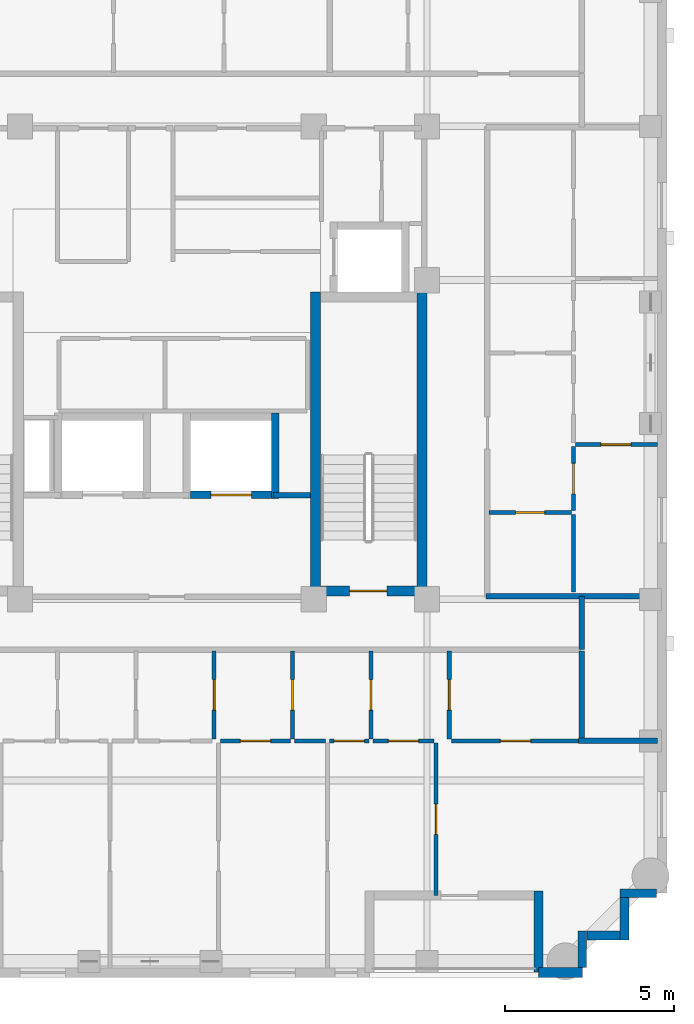
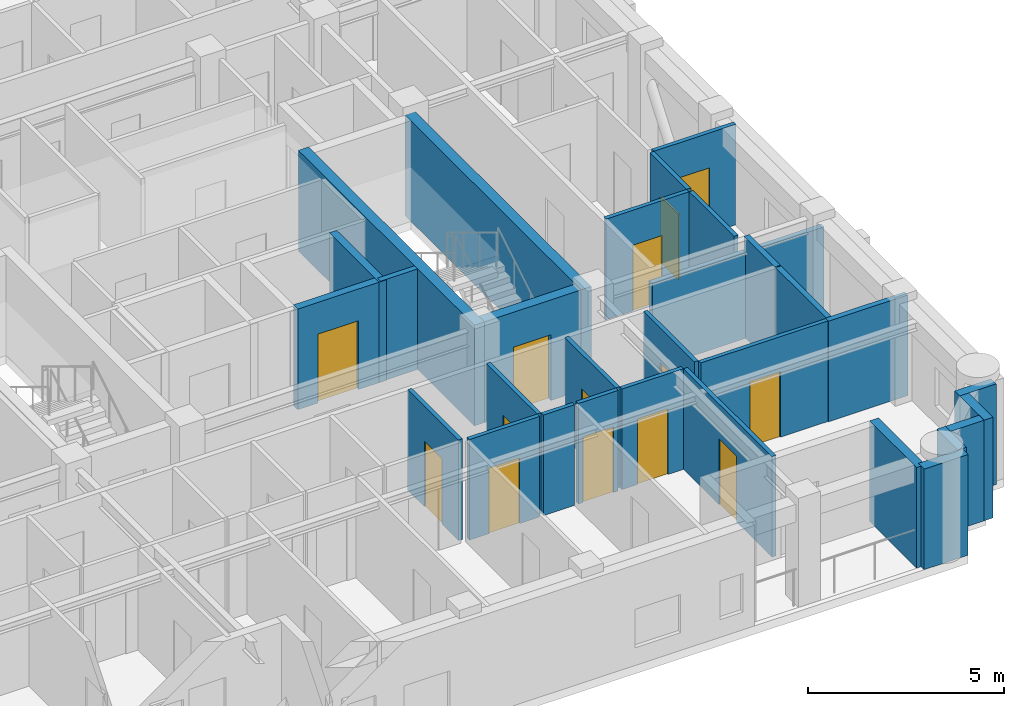
# One storey, part 4 of 11: 30 walls, 14 doors, 14 openings.
"""IFC4 building model written with IfcOpenShell, lengths in metres."""

from ifc_helpers import new_model, si_unit, derived_unit, direction, frame, frame_2d, origin, place, context, subcontext, project, spatial, rectangle, extrude, material, layer, layer_set, type_object, element, fill, save


model = new_model("IFC4")

# Units and contexts
model_context = context("Model", 3, precision=1e-05, world=origin(), true_north=direction((0.0, 1.0)))
body_context = subcontext(model_context, "Body", "Model", "MODEL_VIEW")
ifc_project = project(units=[si_unit("LENGTHUNIT", "METRE"), si_unit("AREAUNIT", "SQUARE_METRE"), si_unit("VOLUMEUNIT", "CUBIC_METRE"), si_unit("PLANEANGLEUNIT", "RADIAN"), si_unit("MASSUNIT", "GRAM", prefix="KILO"), derived_unit("THERMALTRANSMITTANCEUNIT", [(si_unit("MASSUNIT", "GRAM", prefix="KILO"), 1), (si_unit("TIMEUNIT", "SECOND"), -3), (si_unit("THERMODYNAMICTEMPERATUREUNIT", "KELVIN"), -1)])], contexts=[model_context])

# Site, building, storey
site_placement = place(None, origin())
site = spatial("IfcSite", under=ifc_project, at=site_placement, CompositionType="ELEMENT")
building_placement = place(site_placement, origin())
building = spatial("IfcBuilding", under=site, at=building_placement, Name="Korrvale Station Residences", CompositionType="ELEMENT")
storey_placement = place(building_placement, frame((0.0, 0.0, 230.89990234375)))
storey = spatial("IfcBuildingStorey", under=building, at=storey_placement, Name="L67", CompositionType="ELEMENT", Elevation=230.89990234375)

# Walls
ifc_material_1 = material(Name="Concrete C50/60", Category="concrete")
ifc_layer_1 = layer(ifc_material_1, 0.300048828125, Name="Concrete C50/60")
ifc_layer_set_1 = layer_set([ifc_layer_1], Name="Concrete C50/60")
wall_type_1 = type_object("IfcWallType", Name="WAL-CORE-300-C50", PredefinedType="SHEAR", material=ifc_layer_set_1)
for number, where, z_axis, x_axis, name in (
    (1, (29.89990234375, 15.10009765625, 0.0), (0.0, 0.0, 1.0), (0.0, 1.0, 0.0), "L67 ST-2 Core Shear Wall West"),
    (2, (33.050048828125, 15.10009765625, 0.0), (0.0, 0.0, 1.0), (0.0, 1.0, 0.0), "L67 ST-2 Core Shear Wall East"),
):
    element("IfcWall", number, at=place(storey_placement, frame(where, z_axis=z_axis, x_axis=x_axis)), inside=storey, type_object=wall_type_1, Name=name, PredefinedType="SHEAR", context=body_context, shape_type="SweptSolid", body=[
        extrude(rectangle(XDim=9.0, YDim=0.300048828125, at=frame_2d((4.5, 0.0))), origin(), (0.0, 0.0, 1.0), 3.14013671875),
    ])

# Wall, opening, door
wall_1_placement = place(storey_placement, frame((30.050048828125, 15.25, 0.0), z_axis=(0.0, 0.0, 1.0), x_axis=(1.0, 0.0, 0.0)))
wall_1 = element("IfcWall", 3, at=wall_1_placement, inside=storey, type_object=wall_type_1, Name="L67 ST-2 Core Shear Wall South", PredefinedType="SHEAR", context=body_context, shape_type="SweptSolid", body=[
    extrude(rectangle(XDim=2.849853515625, YDim=0.300048828125, at=frame_2d((1.4248046875, 0.0))), origin(), (0.0, 0.0, 1.0), 3.14013671875),
])
opening_1_placement = place(wall_1_placement, frame((0.860107421875, 0.0, 0.0)))
opening_1 = element("IfcOpeningElement", 4, at=opening_1_placement, cuts=wall_1, Name="Opening SD-1100", PredefinedType="OPENING", context=body_context, shape_type="SweptSolid", body=[
    extrude(rectangle(XDim=1.10009765625, YDim=2.050048828125, at=frame_2d((0.550048828125, 1.02490234375))), frame((0.0, 0.16015625, 0.0), z_axis=(0.0, -1.0, 0.0), x_axis=(1.0, 0.0, 0.0)), (0.0, 0.0, 1.0), 0.320068359375),
])
ifc_material_2 = material(Name="Hollow-metal fire-rated stair door with closer", Category="steel")
door_type_1 = type_object("IfcDoorType", Name="DR-STAIR-1100", OperationType="NOTDEFINED", PredefinedType="DOOR", material=ifc_material_2)
door_1_placement = place(opening_1_placement, origin())
door_1 = element("IfcDoor", 5, at=door_1_placement, inside=storey, type_object=door_type_1, Name="L67 ST-2 Exit Stair Door", OperationType="SINGLE_SWING_RIGHT", OverallHeight=2.050048828125, OverallWidth=1.10009765625, PredefinedType="DOOR", context=body_context, shape_type="SweptSolid", body=[
    extrude(rectangle(XDim=1.10009765625, YDim=2.050048828125, at=frame_2d((0.550048828125, 1.02490234375))), frame((0.0, 0.02490234375, 0.0), z_axis=(0.0, -1.0, 0.0), x_axis=(1.0, 0.0, 0.0)), (0.0, 0.0, 1.0), 0.050048828125),
])
fill(opening_1, door_1)

# Walls
ifc_material_3 = material(Name="Precast concrete C45/55", Category="concrete")
ifc_layer_2 = layer(ifc_material_3, 0.260009765625, Name="Precast concrete C45/55")
ifc_layer_set_2 = layer_set([ifc_layer_2], Name="Precast concrete C45/55")
wall_type_2 = type_object("IfcWallType", Name="WAL-EXT-LOG260", PredefinedType="SOLIDWALL", material=ifc_layer_set_2)
wall_2_placement = place(storey_placement, frame((36.5, 3.9599609375, 0.0), z_axis=(0.0, 0.0, 1.0), x_axis=(0.0, 1.0, 0.0)))
element("IfcWall", 6, at=wall_2_placement, inside=storey, type_object=wall_type_2, Name="L67 Recessed Loggia Wall BAL-L67-S2-L", PredefinedType="SOLIDWALL", context=body_context, shape_type="SweptSolid", body=[
    extrude(rectangle(XDim=2.400146484375, YDim=0.260009765625, at=frame_2d((1.2001953125, 0.0))), origin(), (0.0, 0.0, 1.0), 3.14013671875),
])
wall_3_placement = place(storey_placement, frame((39.998046875, 6.300048828125, 0.0), z_axis=(0.0, 0.0, 1.0), x_axis=(-1.0, 0.0, 0.0)))
element("IfcWall", 7, at=wall_3_placement, inside=storey, type_object=wall_type_2, Name="L67 Serrated Corner Precast Step SE-1", PredefinedType="SOLIDWALL", context=body_context, shape_type="SweptSolid", body=[
    extrude(rectangle(XDim=1.078125, YDim=0.260009765625, at=frame_2d((0.5390625, 0.0))), origin(), (0.0, 0.0, 1.0), 3.14013671875),
])
wall_4_placement = place(storey_placement, frame((39.050048828125, 6.16796875, 0.0), z_axis=(0.0, 0.0, 1.0), x_axis=(0.0, -1.0, 0.0)))
element("IfcWall", 8, at=wall_4_placement, inside=storey, type_object=wall_type_2, Name="L67 Serrated Corner Precast Step SE-2", PredefinedType="SOLIDWALL", context=body_context, shape_type="SweptSolid", body=[
    extrude(rectangle(XDim=1.248046875, YDim=0.260009765625, at=frame_2d((0.6240234375, 0.0))), origin(), (0.0, 0.0, 1.0), 3.14013671875),
])
wall_5_placement = place(storey_placement, frame((38.91796875, 5.050048828125, 0.0), z_axis=(0.0, 0.0, 1.0), x_axis=(-1.0, 0.0, 0.0)))
element("IfcWall", 9, at=wall_5_placement, inside=storey, type_object=wall_type_2, Name="L67 Serrated Corner Precast Step SE-3", PredefinedType="SOLIDWALL", context=body_context, shape_type="SweptSolid", body=[
    extrude(rectangle(XDim=0.986083984375, YDim=0.260009765625, at=frame_2d((0.4931640625, 0.0))), origin(), (0.0, 0.0, 1.0), 3.14013671875),
])
wall_6_placement = place(storey_placement, frame((37.800048828125, 5.179931640625, 0.0), z_axis=(0.0, 0.0, 1.0), x_axis=(0.0, -1.0, 0.0)))
element("IfcWall", 10, at=wall_6_placement, inside=storey, type_object=wall_type_2, Name="L67 Serrated Corner Precast Step SE-4", PredefinedType="SOLIDWALL", context=body_context, shape_type="SweptSolid", body=[
    extrude(rectangle(XDim=1.077880859375, YDim=0.260009765625, at=frame_2d((0.5390625, 0.0))), origin(), (0.0, 0.0, 1.0), 3.14013671875),
])
ifc_layer_3 = layer(ifc_material_3, 0.300048828125, Name="Precast concrete C45/55")
ifc_layer_set_3 = layer_set([ifc_layer_3], Name="Precast concrete C45/55")
wall_type_3 = type_object("IfcWallType", Name="WAL-EXT-PC300", PredefinedType="SOLIDWALL", material=ifc_layer_set_3)
wall_7_placement = place(storey_placement, frame((37.800048828125, 3.949951171875, 0.0), z_axis=(0.0, 0.0, 1.0), x_axis=(-1.0, 0.0, 0.0)))
element("IfcWall", 11, at=wall_7_placement, inside=storey, type_object=wall_type_3, Name="L67 South Exterior Precast Wall 1", PredefinedType="SOLIDWALL", context=body_context, shape_type="SweptSolid", body=[
    extrude(rectangle(XDim=1.300048828125, YDim=0.300048828125, at=frame_2d((0.64990234375, 0.0))), origin(), (0.0, 0.0, 1.0), 3.14013671875),
])

# Wall, opening, door
ifc_material_4 = material(Name="Acoustic steel-stud gypsum board partition", Category="steel")
ifc_layer_4 = layer(ifc_material_4, 0.1201171875, Name="Acoustic steel-stud gypsum board partition")
ifc_layer_set_4 = layer_set([ifc_layer_4], Name="Acoustic steel-stud gypsum board partition")
wall_type_4 = type_object("IfcWallType", Name="WAL-PART-125", PredefinedType="PARTITIONING", material=ifc_layer_set_4)
wall_8_placement = place(storey_placement, frame((26.89990234375, 10.8701171875, 0.0), z_axis=(0.0, 0.0, 1.0), x_axis=(0.0, 1.0, 0.0)))
wall_8 = element("IfcWall", 12, at=wall_8_placement, inside=storey, type_object=wall_type_4, Name="L67 Suite Partition U01-V45", PredefinedType="PARTITIONING", context=body_context, shape_type="SweptSolid", body=[
    extrude(rectangle(XDim=2.599853515625, YDim=0.1201171875, at=frame_2d((1.2998046875, 0.0))), origin(), (0.0, 0.0, 1.0), 3.14013671875),
])
opening_2_placement = place(wall_8_placement, frame((0.85009765625, 0.0, 0.0)))
opening_2 = element("IfcOpeningElement", 13, at=opening_2_placement, cuts=wall_8, Name="Opening DI-900", PredefinedType="OPENING", context=body_context, shape_type="SweptSolid", body=[
    extrude(rectangle(XDim=0.89990234375, YDim=2.050048828125, at=frame_2d((0.449951171875, 1.02490234375))), frame((0.0, 0.070068359375, 0.0), z_axis=(0.0, -1.0, 0.0), x_axis=(1.0, 0.0, 0.0)), (0.0, 0.0, 1.0), 0.14013671875),
])
ifc_material_5 = material(Name="Painted solid-core timber interior room door", Category="wood")
door_type_2 = type_object("IfcDoorType", Name="DR-INT-900", OperationType="NOTDEFINED", PredefinedType="DOOR", material=ifc_material_5)
door_2_placement = place(opening_2_placement, origin())
door_2 = element("IfcDoor", 14, at=door_2_placement, inside=storey, type_object=door_type_2, Name="L67 Studio Apartment L67-U01 Wardrobe Storage Room Door", OperationType="SINGLE_SWING_RIGHT", OverallHeight=2.050048828125, OverallWidth=0.89990234375, PredefinedType="DOOR", context=body_context, shape_type="SweptSolid", body=[
    extrude(rectangle(XDim=0.89990234375, YDim=2.050048828125, at=frame_2d((0.449951171875, 1.02490234375))), frame((0.0, 0.02490234375, 0.0), z_axis=(0.0, -1.0, 0.0), x_axis=(1.0, 0.0, 0.0)), (0.0, 0.0, 1.0), 0.050048828125),
])
fill(opening_2, door_2)

wall_9_placement = place(storey_placement, frame((29.219970703125, 10.8701171875, 0.0), z_axis=(0.0, 0.0, 1.0), x_axis=(0.0, 1.0, 0.0)))
wall_9 = element("IfcWall", 15, at=wall_9_placement, inside=storey, type_object=wall_type_4, Name="L67 Suite Partition U01-V56", PredefinedType="PARTITIONING", context=body_context, shape_type="SweptSolid", body=[
    extrude(rectangle(XDim=2.599853515625, YDim=0.1201171875, at=frame_2d((1.2998046875, 0.0))), origin(), (0.0, 0.0, 1.0), 3.14013671875),
])
opening_3_placement = place(wall_9_placement, frame((0.85009765625, 0.0, 0.0)))
opening_3 = element("IfcOpeningElement", 16, at=opening_3_placement, cuts=wall_9, Name="Opening DI-900", PredefinedType="OPENING", context=body_context, shape_type="SweptSolid", body=[
    extrude(rectangle(XDim=0.89990234375, YDim=2.050048828125, at=frame_2d((0.449951171875, 1.02490234375))), frame((0.0, 0.070068359375, 0.0), z_axis=(0.0, -1.0, 0.0), x_axis=(1.0, 0.0, 0.0)), (0.0, 0.0, 1.0), 0.14013671875),
])
door_3_placement = place(opening_3_placement, origin())
door_3 = element("IfcDoor", 17, at=door_3_placement, inside=storey, type_object=door_type_2, Name="L67 Studio Apartment L67-U01 Wardrobe Storage Room Door", OperationType="SINGLE_SWING_RIGHT", OverallHeight=2.050048828125, OverallWidth=0.89990234375, PredefinedType="DOOR", context=body_context, shape_type="SweptSolid", body=[
    extrude(rectangle(XDim=0.89990234375, YDim=2.050048828125, at=frame_2d((0.449951171875, 1.02490234375))), frame((0.0, 0.02490234375, 0.0), z_axis=(0.0, -1.0, 0.0), x_axis=(1.0, 0.0, 0.0)), (0.0, 0.0, 1.0), 0.050048828125),
])
fill(opening_3, door_3)

wall_10_placement = place(storey_placement, frame((27.090087890625, 10.81005859375, 0.0), z_axis=(0.0, 0.0, 1.0), x_axis=(1.0, 0.0, 0.0)))
wall_10 = element("IfcWall", 18, at=wall_10_placement, inside=storey, type_object=wall_type_4, Name="L67 Suite Partition U01-H514", PredefinedType="PARTITIONING", context=body_context, shape_type="SweptSolid", body=[
    extrude(rectangle(XDim=2.06982421875, YDim=0.1201171875, at=frame_2d((1.034912109375, 0.0))), origin(), (0.0, 0.0, 1.0), 3.14013671875),
])
opening_4_placement = place(wall_10_placement, frame((0.5849609375, 0.0, 0.0)))
opening_4 = element("IfcOpeningElement", 19, at=opening_4_placement, cuts=wall_10, Name="Opening DI-900", PredefinedType="OPENING", context=body_context, shape_type="SweptSolid", body=[
    extrude(rectangle(XDim=0.89990234375, YDim=2.050048828125, at=frame_2d((0.449951171875, 1.02490234375))), frame((0.0, 0.070068359375, 0.0), z_axis=(0.0, -1.0, 0.0), x_axis=(1.0, 0.0, 0.0)), (0.0, 0.0, 1.0), 0.14013671875),
])
door_4_placement = place(opening_4_placement, origin())
door_4 = element("IfcDoor", 20, at=door_4_placement, inside=storey, type_object=door_type_2, Name="L67 Studio Apartment L67-U01 Wardrobe Storage Room Door", OperationType="SINGLE_SWING_LEFT", OverallHeight=2.050048828125, OverallWidth=0.89990234375, PredefinedType="DOOR", context=body_context, shape_type="SweptSolid", body=[
    extrude(rectangle(XDim=0.89990234375, YDim=2.050048828125, at=frame_2d((0.449951171875, 1.02490234375))), frame((0.0, 0.02490234375, 0.0), z_axis=(0.0, -1.0, 0.0), x_axis=(1.0, 0.0, 0.0)), (0.0, 0.0, 1.0), 0.050048828125),
])
fill(opening_4, door_4)

wall_11_placement = place(storey_placement, frame((31.5400390625, 10.8701171875, 0.0), z_axis=(0.0, 0.0, 1.0), x_axis=(0.0, 1.0, 0.0)))
wall_11 = element("IfcWall", 21, at=wall_11_placement, inside=storey, type_object=wall_type_4, Name="L67 Suite Partition U01-V67", PredefinedType="PARTITIONING", context=body_context, shape_type="SweptSolid", body=[
    extrude(rectangle(XDim=2.599853515625, YDim=0.1201171875, at=frame_2d((1.2998046875, 0.0))), origin(), (0.0, 0.0, 1.0), 3.14013671875),
])
opening_5_placement = place(wall_11_placement, frame((0.85009765625, 0.0, 0.0)))
opening_5 = element("IfcOpeningElement", 22, at=opening_5_placement, cuts=wall_11, Name="Opening DI-900", PredefinedType="OPENING", context=body_context, shape_type="SweptSolid", body=[
    extrude(rectangle(XDim=0.89990234375, YDim=2.050048828125, at=frame_2d((0.449951171875, 1.02490234375))), frame((0.0, 0.070068359375, 0.0), z_axis=(0.0, -1.0, 0.0), x_axis=(1.0, 0.0, 0.0)), (0.0, 0.0, 1.0), 0.14013671875),
])
door_5_placement = place(opening_5_placement, origin())
door_5 = element("IfcDoor", 23, at=door_5_placement, inside=storey, type_object=door_type_2, Name="L67 Studio Apartment L67-U01 Wardrobe Storage Room Door", OperationType="SINGLE_SWING_RIGHT", OverallHeight=2.050048828125, OverallWidth=0.89990234375, PredefinedType="DOOR", context=body_context, shape_type="SweptSolid", body=[
    extrude(rectangle(XDim=0.89990234375, YDim=2.050048828125, at=frame_2d((0.449951171875, 1.02490234375))), frame((0.0, 0.02490234375, 0.0), z_axis=(0.0, -1.0, 0.0), x_axis=(1.0, 0.0, 0.0)), (0.0, 0.0, 1.0), 0.050048828125),
])
fill(opening_5, door_5)

# Wall
wall_12_placement = place(storey_placement, frame((29.280029296875, 10.81005859375, 0.0), z_axis=(0.0, 0.0, 1.0), x_axis=(1.0, 0.0, 0.0)))
element("IfcWall", 24, at=wall_12_placement, inside=storey, type_object=wall_type_4, Name="L67 Suite Partition U01-H614", PredefinedType="PARTITIONING", context=body_context, shape_type="SweptSolid", body=[
    extrude(rectangle(XDim=0.909912109375, YDim=0.1201171875, at=frame_2d((0.455078125, 0.0))), origin(), (0.0, 0.0, 1.0), 3.14013671875),
])

# Wall, opening, door
wall_13_placement = place(storey_placement, frame((30.31005859375, 10.81005859375, 0.0), z_axis=(0.0, 0.0, 1.0), x_axis=(1.0, 0.0, 0.0)))
wall_13 = element("IfcWall", 25, at=wall_13_placement, inside=storey, type_object=wall_type_4, Name="L67 Suite Partition U01-H615", PredefinedType="PARTITIONING", context=body_context, shape_type="SweptSolid", body=[
    extrude(rectangle(XDim=1.169921875, YDim=0.1201171875, at=frame_2d((0.5849609375, 0.0))), origin(), (0.0, 0.0, 1.0), 3.14013671875),
])
opening_6_placement = place(wall_13_placement, frame((0.135009765625, 0.0, 0.0)))
opening_6 = element("IfcOpeningElement", 26, at=opening_6_placement, cuts=wall_13, Name="Opening DI-900", PredefinedType="OPENING", context=body_context, shape_type="SweptSolid", body=[
    extrude(rectangle(XDim=0.89990234375, YDim=2.050048828125, at=frame_2d((0.449951171875, 1.02490234375))), frame((0.0, 0.070068359375, 0.0), z_axis=(0.0, -1.0, 0.0), x_axis=(1.0, 0.0, 0.0)), (0.0, 0.0, 1.0), 0.14013671875),
])
door_6_placement = place(opening_6_placement, origin())
door_6 = element("IfcDoor", 27, at=door_6_placement, inside=storey, type_object=door_type_2, Name="L67 Studio Apartment L67-U01 Wardrobe Storage Room Door", OperationType="SINGLE_SWING_LEFT", OverallHeight=2.050048828125, OverallWidth=0.89990234375, PredefinedType="DOOR", context=body_context, shape_type="SweptSolid", body=[
    extrude(rectangle(XDim=0.89990234375, YDim=2.050048828125, at=frame_2d((0.449951171875, 1.02490234375))), frame((0.0, 0.02490234375, 0.0), z_axis=(0.0, -1.0, 0.0), x_axis=(1.0, 0.0, 0.0)), (0.0, 0.0, 1.0), 0.050048828125),
])
fill(opening_6, door_6)

wall_14_placement = place(storey_placement, frame((33.860107421875, 10.8701171875, 0.0), z_axis=(0.0, 0.0, 1.0), x_axis=(0.0, 1.0, 0.0)))
wall_14 = element("IfcWall", 28, at=wall_14_placement, inside=storey, type_object=wall_type_4, Name="L67 Suite Partition U01-V78", PredefinedType="PARTITIONING", context=body_context, shape_type="SweptSolid", body=[
    extrude(rectangle(XDim=2.599853515625, YDim=0.1201171875, at=frame_2d((1.2998046875, 0.0))), origin(), (0.0, 0.0, 1.0), 3.14013671875),
])
opening_7_placement = place(wall_14_placement, frame((0.85009765625, 0.0, 0.0)))
opening_7 = element("IfcOpeningElement", 29, at=opening_7_placement, cuts=wall_14, Name="Opening DI-900", PredefinedType="OPENING", context=body_context, shape_type="SweptSolid", body=[
    extrude(rectangle(XDim=0.89990234375, YDim=2.050048828125, at=frame_2d((0.449951171875, 1.02490234375))), frame((0.0, 0.070068359375, 0.0), z_axis=(0.0, -1.0, 0.0), x_axis=(1.0, 0.0, 0.0)), (0.0, 0.0, 1.0), 0.14013671875),
])
door_7_placement = place(opening_7_placement, origin())
door_7 = element("IfcDoor", 30, at=door_7_placement, inside=storey, type_object=door_type_2, Name="L67 Studio Apartment L67-U01 Wardrobe Storage Room Door", OperationType="SINGLE_SWING_RIGHT", OverallHeight=2.050048828125, OverallWidth=0.89990234375, PredefinedType="DOOR", context=body_context, shape_type="SweptSolid", body=[
    extrude(rectangle(XDim=0.89990234375, YDim=2.050048828125, at=frame_2d((0.449951171875, 1.02490234375))), frame((0.0, 0.02490234375, 0.0), z_axis=(0.0, -1.0, 0.0), x_axis=(1.0, 0.0, 0.0)), (0.0, 0.0, 1.0), 0.050048828125),
])
fill(opening_7, door_7)

wall_15_placement = place(storey_placement, frame((31.60009765625, 10.81005859375, 0.0), z_axis=(0.0, 0.0, 1.0), x_axis=(1.0, 0.0, 0.0)))
wall_15 = element("IfcWall", 31, at=wall_15_placement, inside=storey, type_object=wall_type_4, Name="L67 Suite Partition U01-H715", PredefinedType="PARTITIONING", context=body_context, shape_type="SweptSolid", body=[
    extrude(rectangle(XDim=1.809814453125, YDim=0.1201171875, at=frame_2d((0.90478515625, 0.0))), origin(), (0.0, 0.0, 1.0), 3.14013671875),
])
opening_8_placement = place(wall_15_placement, frame((0.455078125, 0.0, 0.0)))
opening_8 = element("IfcOpeningElement", 32, at=opening_8_placement, cuts=wall_15, Name="Opening DI-900", PredefinedType="OPENING", context=body_context, shape_type="SweptSolid", body=[
    extrude(rectangle(XDim=0.89990234375, YDim=2.050048828125, at=frame_2d((0.449951171875, 1.02490234375))), frame((0.0, 0.070068359375, 0.0), z_axis=(0.0, -1.0, 0.0), x_axis=(1.0, 0.0, 0.0)), (0.0, 0.0, 1.0), 0.14013671875),
])
door_8_placement = place(opening_8_placement, origin())
door_8 = element("IfcDoor", 33, at=door_8_placement, inside=storey, type_object=door_type_2, Name="L67 Studio Apartment L67-U01 Wardrobe Storage Room Door", OperationType="SINGLE_SWING_LEFT", OverallHeight=2.050048828125, OverallWidth=0.89990234375, PredefinedType="DOOR", context=body_context, shape_type="SweptSolid", body=[
    extrude(rectangle(XDim=0.89990234375, YDim=2.050048828125, at=frame_2d((0.449951171875, 1.02490234375))), frame((0.0, 0.02490234375, 0.0), z_axis=(0.0, -1.0, 0.0), x_axis=(1.0, 0.0, 0.0)), (0.0, 0.0, 1.0), 0.050048828125),
])
fill(opening_8, door_8)

wall_16_placement = place(storey_placement, frame((33.919921875, 10.81005859375, 0.0), z_axis=(0.0, 0.0, 1.0), x_axis=(1.0, 0.0, 0.0)))
wall_16 = element("IfcWall", 34, at=wall_16_placement, inside=storey, type_object=wall_type_4, Name="L67 Suite Partition U01-H816", PredefinedType="PARTITIONING", context=body_context, shape_type="SweptSolid", body=[
    extrude(rectangle(XDim=3.800048828125, YDim=0.1201171875, at=frame_2d((1.89990234375, 0.0))), origin(), (0.0, 0.0, 1.0), 3.14013671875),
])
opening_9_placement = place(wall_16_placement, frame((1.449951171875, 0.0, 0.0)))
opening_9 = element("IfcOpeningElement", 35, at=opening_9_placement, cuts=wall_16, Name="Opening DI-900", PredefinedType="OPENING", context=body_context, shape_type="SweptSolid", body=[
    extrude(rectangle(XDim=0.89990234375, YDim=2.050048828125, at=frame_2d((0.449951171875, 1.02490234375))), frame((0.0, 0.070068359375, 0.0), z_axis=(0.0, -1.0, 0.0), x_axis=(1.0, 0.0, 0.0)), (0.0, 0.0, 1.0), 0.14013671875),
])
door_9_placement = place(opening_9_placement, origin())
door_9 = element("IfcDoor", 36, at=door_9_placement, inside=storey, type_object=door_type_2, Name="L67 Studio Apartment L67-U01 Utility and Laundry Room Door", OperationType="SINGLE_SWING_RIGHT", OverallHeight=2.050048828125, OverallWidth=0.89990234375, PredefinedType="DOOR", context=body_context, shape_type="SweptSolid", body=[
    extrude(rectangle(XDim=0.89990234375, YDim=2.050048828125, at=frame_2d((0.449951171875, 1.02490234375))), frame((0.0, 0.02490234375, 0.0), z_axis=(0.0, -1.0, 0.0), x_axis=(1.0, 0.0, 0.0)), (0.0, 0.0, 1.0), 0.050048828125),
])
fill(opening_9, door_9)

wall_17_placement = place(storey_placement, frame((33.469970703125, 6.22998046875, 0.0), z_axis=(0.0, 0.0, 1.0), x_axis=(0.0, 1.0, 0.0)))
wall_17 = element("IfcWall", 37, at=wall_17_placement, inside=storey, type_object=wall_type_4, Name="L67 Suite Partition U01-V1516", PredefinedType="PARTITIONING", context=body_context, shape_type="SweptSolid", body=[
    extrude(rectangle(XDim=4.52001953125, YDim=0.1201171875, at=frame_2d((2.260009765625, 0.0))), origin(), (0.0, 0.0, 1.0), 3.14013671875),
])
opening_10_placement = place(wall_17_placement, frame((1.81005859375, 0.0, 0.0)))
opening_10 = element("IfcOpeningElement", 38, at=opening_10_placement, cuts=wall_17, Name="Opening DI-900", PredefinedType="OPENING", context=body_context, shape_type="SweptSolid", body=[
    extrude(rectangle(XDim=0.89990234375, YDim=2.050048828125, at=frame_2d((0.449951171875, 1.02490234375))), frame((0.0, 0.070068359375, 0.0), z_axis=(0.0, -1.0, 0.0), x_axis=(1.0, 0.0, 0.0)), (0.0, 0.0, 1.0), 0.14013671875),
])
door_10_placement = place(opening_10_placement, origin())
door_10 = element("IfcDoor", 39, at=door_10_placement, inside=storey, type_object=door_type_2, Name="L67 Studio Apartment L67-U01 Formal Dining Room Door", OperationType="SINGLE_SWING_LEFT", OverallHeight=2.050048828125, OverallWidth=0.89990234375, PredefinedType="DOOR", context=body_context, shape_type="SweptSolid", body=[
    extrude(rectangle(XDim=0.89990234375, YDim=2.050048828125, at=frame_2d((0.449951171875, 1.02490234375))), frame((0.0, 0.02490234375, 0.0), z_axis=(0.0, -1.0, 0.0), x_axis=(1.0, 0.0, 0.0)), (0.0, 0.0, 1.0), 0.050048828125),
])
fill(opening_10, door_10)

wall_18_placement = place(storey_placement, frame((35.030029296875, 17.570068359375, 0.0), z_axis=(0.0, 0.0, 1.0), x_axis=(1.0, 0.0, 0.0)))
wall_18 = element("IfcWall", 40, at=wall_18_placement, inside=storey, type_object=wall_type_4, Name="L67 Suite Partition U05-H12", PredefinedType="PARTITIONING", context=body_context, shape_type="SweptSolid", body=[
    extrude(rectangle(XDim=2.449951171875, YDim=0.1201171875, at=frame_2d((1.22509765625, 0.0))), origin(), (0.0, 0.0, 1.0), 3.14013671875),
])
opening_11_placement = place(wall_18_placement, frame((0.794921875, 0.0, 0.0)))
opening_11 = element("IfcOpeningElement", 41, at=opening_11_placement, cuts=wall_18, Name="Opening DB-860", PredefinedType="OPENING", context=body_context, shape_type="SweptSolid", body=[
    extrude(rectangle(XDim=0.860107421875, YDim=2.050048828125, at=frame_2d((0.43017578125, 1.02490234375))), frame((0.0, 0.070068359375, 0.0), z_axis=(0.0, -1.0, 0.0), x_axis=(1.0, 0.0, 0.0)), (0.0, 0.0, 1.0), 0.14013671875),
])
ifc_material_6 = material(Name="Moisture-resistant solid-core bathroom door", Category="timber")
door_type_3 = type_object("IfcDoorType", Name="DR-BATH-860", OperationType="NOTDEFINED", PredefinedType="DOOR", material=ifc_material_6)
door_11_placement = place(opening_11_placement, origin())
door_11 = element("IfcDoor", 42, at=door_11_placement, inside=storey, type_object=door_type_3, Name="L67 Apartment 2BR L67-U05 Bathroom Door", OperationType="SINGLE_SWING_LEFT", OverallHeight=2.050048828125, OverallWidth=0.860107421875, PredefinedType="DOOR", context=body_context, shape_type="SweptSolid", body=[
    extrude(rectangle(XDim=0.860107421875, YDim=2.050048828125, at=frame_2d((0.43017578125, 1.02490234375))), frame((0.0, 0.02490234375, 0.0), z_axis=(0.0, -1.0, 0.0), x_axis=(1.0, 0.0, 0.0)), (0.0, 0.0, 1.0), 0.050048828125),
])
fill(opening_11, door_11)

# Wall
wall_19_placement = place(storey_placement, frame((37.5400390625, 15.2099609375, 0.0), z_axis=(0.0, 0.0, 1.0), x_axis=(0.0, 1.0, 0.0)))
element("IfcWall", 43, at=wall_19_placement, inside=storey, type_object=wall_type_4, Name="L67 Suite Partition U05-V13", PredefinedType="PARTITIONING", context=body_context, shape_type="SweptSolid", body=[
    extrude(rectangle(XDim=2.300048828125, YDim=0.1201171875, at=frame_2d((1.14990234375, 0.0))), origin(), (0.0, 0.0, 1.0), 3.14013671875),
])

# Wall, opening, door
wall_20_placement = place(storey_placement, frame((37.5400390625, 17.6298828125, 0.0), z_axis=(0.0, 0.0, 1.0), x_axis=(0.0, 1.0, 0.0)))
wall_20 = element("IfcWall", 44, at=wall_20_placement, inside=storey, type_object=wall_type_4, Name="L67 Suite Partition U05-V23", PredefinedType="PARTITIONING", context=body_context, shape_type="SweptSolid", body=[
    extrude(rectangle(XDim=1.88818359375, YDim=0.1201171875, at=frame_2d((0.944091796875, 0.0))), origin(), (0.0, 0.0, 1.0), 3.14013671875),
])
opening_12_placement = place(wall_20_placement, frame((0.493896484375, 0.0, 0.0)))
opening_12 = element("IfcOpeningElement", 45, at=opening_12_placement, cuts=wall_20, Name="Opening DI-900", PredefinedType="OPENING", context=body_context, shape_type="SweptSolid", body=[
    extrude(rectangle(XDim=0.89990234375, YDim=2.050048828125, at=frame_2d((0.449951171875, 1.02490234375))), frame((0.0, 0.070068359375, 0.0), z_axis=(0.0, -1.0, 0.0), x_axis=(1.0, 0.0, 0.0)), (0.0, 0.0, 1.0), 0.14013671875),
])
door_12_placement = place(opening_12_placement, origin())
door_12 = element("IfcDoor", 46, at=door_12_placement, inside=storey, type_object=door_type_2, Name="L67 Apartment 2BR L67-U05 Kitchen Door", OperationType="SINGLE_SWING_RIGHT", OverallHeight=2.050048828125, OverallWidth=0.89990234375, PredefinedType="DOOR", context=body_context, shape_type="SweptSolid", body=[
    extrude(rectangle(XDim=0.89990234375, YDim=2.050048828125, at=frame_2d((0.449951171875, 1.02490234375))), frame((0.0, 0.02490234375, 0.0), z_axis=(0.0, -1.0, 0.0), x_axis=(1.0, 0.0, 0.0)), (0.0, 0.0, 1.0), 0.050048828125),
])
fill(opening_12, door_12)

wall_21_placement = place(storey_placement, frame((37.60009765625, 19.577880859375, 0.0), z_axis=(0.0, 0.0, 1.0), x_axis=(1.0, 0.0, 0.0)))
wall_21 = element("IfcWall", 47, at=wall_21_placement, inside=storey, type_object=wall_type_4, Name="L67 Suite Partition U05-H34", PredefinedType="PARTITIONING", context=body_context, shape_type="SweptSolid", body=[
    extrude(rectangle(XDim=2.419921875, YDim=0.1201171875, at=frame_2d((1.2099609375, 0.0))), origin(), (0.0, 0.0, 1.0), 3.14013671875),
])
opening_13_placement = place(wall_21_placement, frame((0.7451171875, 0.0, 0.0)))
opening_13 = element("IfcOpeningElement", 48, at=opening_13_placement, cuts=wall_21, Name="Opening DI-900", PredefinedType="OPENING", context=body_context, shape_type="SweptSolid", body=[
    extrude(rectangle(XDim=0.89990234375, YDim=2.050048828125, at=frame_2d((0.449951171875, 1.02490234375))), frame((0.0, 0.070068359375, 0.0), z_axis=(0.0, -1.0, 0.0), x_axis=(1.0, 0.0, 0.0)), (0.0, 0.0, 1.0), 0.14013671875),
])
door_13_placement = place(opening_13_placement, origin())
door_13 = element("IfcDoor", 49, at=door_13_placement, inside=storey, type_object=door_type_2, Name="L67 Apartment 2BR L67-U05 Bedroom 1 Door", OperationType="SINGLE_SWING_RIGHT", OverallHeight=2.050048828125, OverallWidth=0.89990234375, PredefinedType="DOOR", context=body_context, shape_type="SweptSolid", body=[
    extrude(rectangle(XDim=0.89990234375, YDim=2.050048828125, at=frame_2d((0.449951171875, 1.02490234375))), frame((0.0, 0.02490234375, 0.0), z_axis=(0.0, -1.0, 0.0), x_axis=(1.0, 0.0, 0.0)), (0.0, 0.0, 1.0), 0.050048828125),
])
fill(opening_13, door_13)

# Walls
ifc_material_7 = material(Name="Fire-rated twin-stud gypsum and mineral wool shaftwall assembly", Category="gypsum")
ifc_layer_5 = layer(ifc_material_7, 0.159912109375, Name="Fire-rated twin-stud gypsum and mineral wool shaftwall assembly")
ifc_layer_set_5 = layer_set([ifc_layer_5], Name="Fire-rated twin-stud gypsum and mineral wool shaftwall assembly")
wall_type_5 = type_object("IfcWallType", Name="WAL-PART-200", PredefinedType="PARTITIONING", material=ifc_layer_set_5)
wall_22_placement = place(storey_placement, frame((28.64990234375, 18.080078125, 0.0), z_axis=(0.0, 0.0, 1.0), x_axis=(1.0, 0.0, 0.0)))
element("IfcWall", 50, at=wall_22_placement, inside=storey, type_object=wall_type_5, Name="L67 Core Partition CW-FFL-N3", PredefinedType="PARTITIONING", context=body_context, shape_type="SweptSolid", body=[
    extrude(rectangle(XDim=1.10009765625, YDim=0.159912109375, at=frame_2d((0.550048828125, 0.0))), origin(), (0.0, 0.0, 1.0), 3.14013671875),
])
wall_23_placement = place(storey_placement, frame((37.780029296875, 13.510009765625, 0.0), z_axis=(0.0, 0.0, 1.0), x_axis=(0.0, 1.0, 0.0)))
element("IfcWall", 51, at=wall_23_placement, inside=storey, type_object=wall_type_5, Name="L67 Corridor South East Cap", PredefinedType="PARTITIONING", context=body_context, shape_type="SweptSolid", body=[
    extrude(rectangle(XDim=1.580078125, YDim=0.159912109375, at=frame_2d((0.7900390625, 0.0))), origin(), (0.0, 0.0, 1.0), 3.14013671875),
])
wall_24_placement = place(storey_placement, frame((34.949951171875, 15.090087890625, 0.0), z_axis=(0.0, 0.0, 1.0), x_axis=(1.0, 0.0, 0.0)))
element("IfcWall", 52, at=wall_24_placement, inside=storey, type_object=wall_type_5, Name="L67 East Wing South Corridor Wall", PredefinedType="PARTITIONING", context=body_context, shape_type="SweptSolid", body=[
    extrude(rectangle(XDim=5.070068359375, YDim=0.159912109375, at=frame_2d((2.53515625, 0.0))), origin(), (0.0, 0.0, 1.0), 2.668212890625),
])
wall_25_placement = place(storey_placement, frame((37.679931640625, 10.81005859375, 0.0), z_axis=(0.0, 0.0, 1.0), x_axis=(1.0, 0.0, 0.0)))
element("IfcWall", 53, at=wall_25_placement, inside=storey, type_object=wall_type_5, Name="L67 Corner Step Wall U01-R", PredefinedType="PARTITIONING", context=body_context, shape_type="SweptSolid", body=[
    extrude(rectangle(XDim=2.340087890625, YDim=0.159912109375, at=frame_2d((1.169921875, 0.0))), origin(), (0.0, 0.0, 1.0), 3.14013671875),
])
wall_26_placement = place(storey_placement, frame((37.780029296875, 10.81005859375, 0.0), z_axis=(0.0, 0.0, 1.0), x_axis=(0.0, 1.0, 0.0)))
element("IfcWall", 54, at=wall_26_placement, inside=storey, type_object=wall_type_5, Name="L67 Corner Step Cheek U01-R", PredefinedType="PARTITIONING", context=body_context, shape_type="SweptSolid", body=[
    extrude(rectangle(XDim=2.659912109375, YDim=0.159912109375, at=frame_2d((1.330078125, 0.0))), origin(), (0.0, 0.0, 1.0), 3.14013671875),
])

# Wall, opening, door
ifc_layer_6 = layer(ifc_material_1, 0.219970703125, Name="Concrete C50/60")
ifc_layer_set_6 = layer_set([ifc_layer_6], Name="Concrete C50/60")
wall_type_6 = type_object("IfcWallType", Name="WAL-SHAFT-220-C50", PredefinedType="SHEAR", material=ifc_layer_set_6)
wall_27_placement = place(storey_placement, frame((26.199951171875, 18.090087890625, 0.0), z_axis=(0.0, 0.0, 1.0), x_axis=(1.0, 0.0, 0.0)))
wall_27 = element("IfcWall", 55, at=wall_27_placement, inside=storey, type_object=wall_type_6, Name="L67 Elevator FFL-2 Hoistway Wall South", PredefinedType="SHEAR", context=body_context, shape_type="SweptSolid", body=[
    extrude(rectangle(XDim=2.400146484375, YDim=0.219970703125, at=frame_2d((1.2001953125, 0.0))), origin(), (0.0, 0.0, 1.0), 3.14013671875),
])
opening_14_placement = place(wall_27_placement, frame((0.60009765625, 0.0, 0.0)))
opening_14 = element("IfcOpeningElement", 56, at=opening_14_placement, cuts=wall_27, Name="Opening LD-FF1200", PredefinedType="OPENING", context=body_context, shape_type="SweptSolid", body=[
    extrude(rectangle(XDim=1.199951171875, YDim=2.14990234375, at=frame_2d((0.60009765625, 1.074951171875))), frame((0.0, 0.1201171875, 0.0), z_axis=(0.0, -1.0, 0.0), x_axis=(1.0, 0.0, 0.0)), (0.0, 0.0, 1.0), 0.239990234375),
])
ifc_material_8 = material(Name="Stainless-steel firefighter elevator landing sliding door", Category="steel")
door_type_4 = type_object("IfcDoorType", Name="DR-LIFT-FF1200", OperationType="SLIDING_TO_LEFT", PredefinedType="DOOR", material=ifc_material_8)
door_14_placement = place(opening_14_placement, origin())
door_14 = element("IfcDoor", 57, at=door_14_placement, inside=storey, type_object=door_type_4, Name="L67 Elevator FFL-2 Sliding Landing Door", OperationType="SLIDING_TO_LEFT", OverallHeight=2.14990234375, OverallWidth=1.199951171875, PredefinedType="DOOR", context=body_context, shape_type="SweptSolid", body=[
    extrude(rectangle(XDim=1.199951171875, YDim=2.14990234375, at=frame_2d((0.60009765625, 1.074951171875))), frame((0.0, 0.02490234375, 0.0), z_axis=(0.0, -1.0, 0.0), x_axis=(1.0, 0.0, 0.0)), (0.0, 0.0, 1.0), 0.050048828125),
])
fill(opening_14, door_14)

# Wall
wall_28_placement = place(storey_placement, frame((28.7099609375, 17.97998046875, 0.0), z_axis=(0.0, 0.0, 1.0), x_axis=(0.0, 1.0, 0.0)))
element("IfcWall", 58, at=wall_28_placement, inside=storey, type_object=wall_type_6, Name="L67 Elevator FFL-2 Hoistway Wall East", PredefinedType="SHEAR", context=body_context, shape_type="SweptSolid", body=[
    extrude(rectangle(XDim=2.5400390625, YDim=0.219970703125, at=frame_2d((1.27001953125, 0.0))), origin(), (0.0, 0.0, 1.0), 3.14013671875),
])

save(model, "model.ifc")
